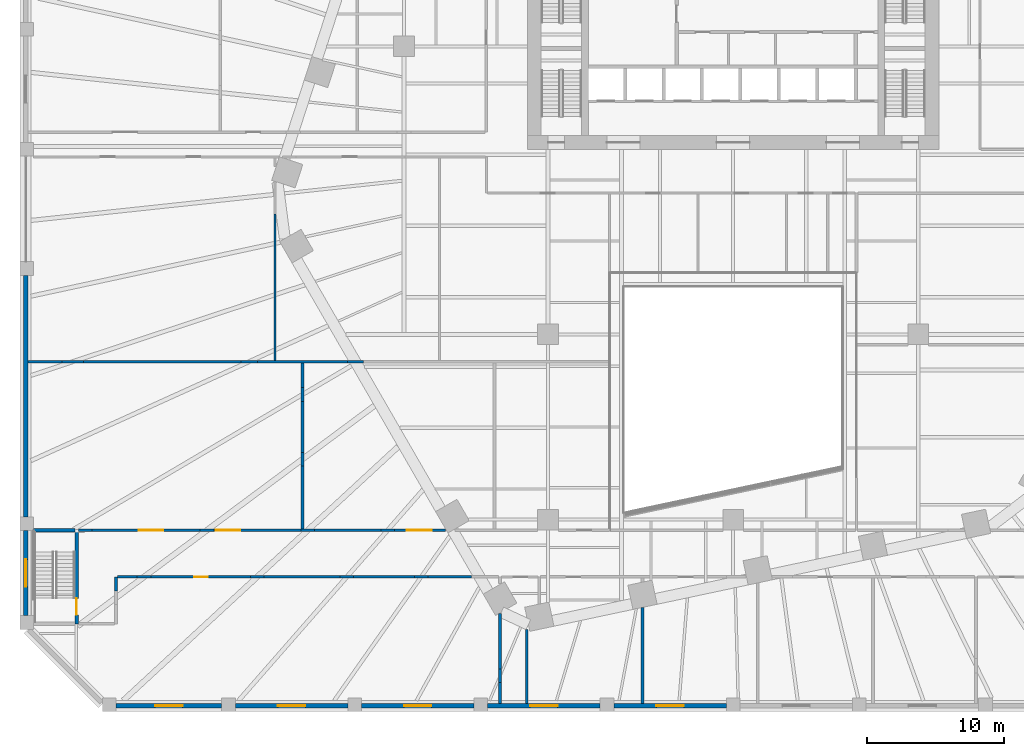
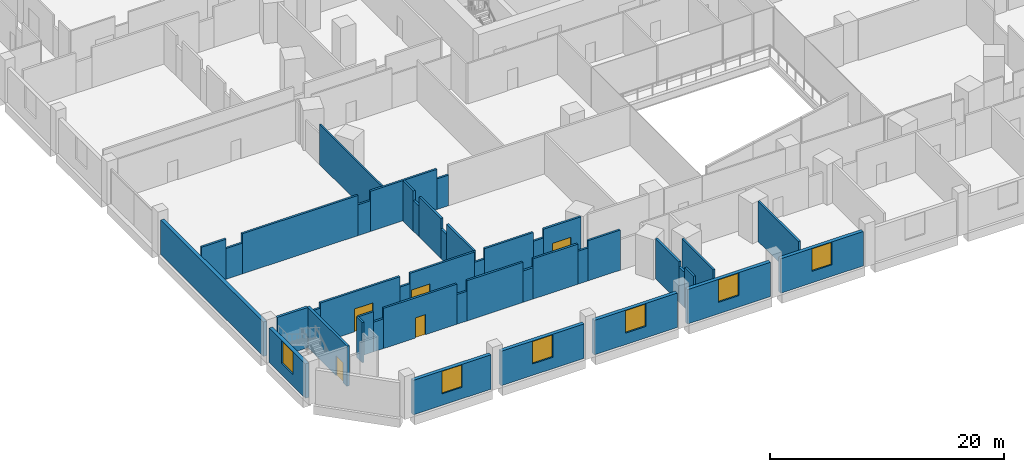
# One storey, part 14 of 29: 44 walls, 6 windows, 5 doors, 11 openings.
"""IFC4 building model written with IfcOpenShell, lengths in metres."""

from ifc_helpers import new_model, si_unit, direction, frame, frame_2d, origin, place, context, subcontext, project, spatial, rectangle, extrude, material, layer, layer_set, type_object, element, fill, save


model = new_model("IFC4")

# Units and contexts
model_context = context("Model", 3, precision=1e-05, world=origin(), true_north=direction((0.0, 1.0)))
body_context = subcontext(model_context, "Body", "Model", "MODEL_VIEW")
ifc_project = project(units=[si_unit("LENGTHUNIT", "METRE"), si_unit("AREAUNIT", "SQUARE_METRE"), si_unit("VOLUMEUNIT", "CUBIC_METRE"), si_unit("PLANEANGLEUNIT", "RADIAN"), si_unit("MASSUNIT", "GRAM", prefix="KILO")], contexts=[model_context])

# Site, building, storey
site_placement = place(None, origin())
site = spatial("IfcSite", under=ifc_project, at=site_placement, CompositionType="ELEMENT")
building_placement = place(site_placement, origin())
building = spatial("IfcBuilding", under=site, at=building_placement, Name="Isthmus Gate Tower", CompositionType="ELEMENT")
storey_placement = place(building_placement, frame((0.0, 0.0, 27.0)))
storey = spatial("IfcBuildingStorey", under=building, at=storey_placement, Name="L04", CompositionType="ELEMENT", Elevation=27.0)

# Walls
ifc_material_1 = material(Name="Concrete f'c 30 MPa", Category="concrete")
ifc_layer_1 = layer(ifc_material_1, 0.199951171875)
ifc_layer_set_1 = layer_set([ifc_layer_1], Name="Fire-rated block wall 200")
wall_type_1 = type_object("IfcWallType", Name="Fire-rated block wall 200", PredefinedType="PARTITIONING", material=ifc_layer_set_1)
wall_1_placement = place(storey_placement, frame((-44.89990234375, -31.178955078125, 0.0), z_axis=(0.0, 0.0, 1.0), x_axis=(1.0, 0.0, 0.0)))
element("IfcWall", 1, at=wall_1_placement, inside=storey, type_object=wall_type_1, Name="Fire-rated wall", PredefinedType="PARTITIONING", context=body_context, shape_type="SweptSolid", body=[
    extrude(rectangle(XDim=1.445068359375, YDim=0.199951171875, at=frame_2d((0.72265625, 0.0))), origin(), (0.0, 0.0, 1.0), 4.199951171875),
])
wall_2_placement = place(storey_placement, frame((-43.454833984375, -31.178955078125, 0.0), z_axis=(0.0, 0.0, 1.0), x_axis=(1.0, 0.0, 0.0)))
element("IfcWall", 2, at=wall_2_placement, inside=storey, type_object=wall_type_1, Name="Fire-rated wall", PredefinedType="PARTITIONING", context=body_context, shape_type="SweptSolid", body=[
    extrude(rectangle(XDim=1.006103515625, YDim=0.199951171875, at=frame_2d((0.5029296875, 0.0))), origin(), (0.0, 0.0, 1.0), 3.111083984375),
])

# Wall, opening, door
wall_3_placement = place(storey_placement, frame((-42.44873046875, -31.178955078125, 0.0), z_axis=(0.0, 0.0, 1.0), x_axis=(1.0, 0.0, 0.0)))
wall_3 = element("IfcWall", 3, at=wall_3_placement, inside=storey, type_object=wall_type_1, Name="Fire-rated wall", PredefinedType="PARTITIONING", context=body_context, shape_type="SweptSolid", body=[
    extrude(rectangle(XDim=7.244873046875, YDim=0.199951171875, at=frame_2d((3.62255859375, 0.0))), origin(), (0.0, 0.0, 1.0), 4.199951171875),
])
opening_1_placement = place(wall_3_placement, frame((3.14990234375, 0.0, 0.0)))
opening_1 = element("IfcOpeningElement", 4, at=opening_1_placement, cuts=wall_3, Name="Opening DP04-43", PredefinedType="OPENING", context=body_context, shape_type="SweptSolid", body=[
    extrude(rectangle(XDim=1.0, YDim=2.10009765625, at=frame_2d((0.5, 1.050048828125))), frame((0.0, 0.10986328125, 0.0), z_axis=(0.0, -1.0, 0.0), x_axis=(1.0, 0.0, 0.0)), (0.0, 0.0, 1.0), 0.219970703125),
])
ifc_material_2 = material(Name="Steel fire door with intumescent seals", Category="steel")
door_type_1 = type_object("IfcDoorType", Name="Fire door 1000 x 2100", OperationType="SINGLE_SWING_LEFT", PredefinedType="DOOR", material=ifc_material_2)
door_1_placement = place(opening_1_placement, origin())
door_1 = element("IfcDoor", 5, at=door_1_placement, inside=storey, type_object=door_type_1, Name="Door DP04-43", OperationType="SINGLE_SWING_LEFT", OverallHeight=2.10009765625, OverallWidth=1.0, PredefinedType="DOOR", context=body_context, shape_type="SweptSolid", body=[
    extrude(rectangle(XDim=1.0, YDim=2.10009765625, at=frame_2d((0.5, 1.050048828125))), frame((0.0, 0.02490234375, 0.0), z_axis=(0.0, -1.0, 0.0), x_axis=(1.0, 0.0, 0.0)), (0.0, 0.0, 1.0), 0.050048828125),
])
fill(opening_1, door_1)

# Walls
wall_4_placement = place(storey_placement, frame((-35.203857421875, -31.178955078125, 0.0), z_axis=(0.0, 0.0, 1.0), x_axis=(1.0, 0.0, 0.0)))
element("IfcWall", 6, at=wall_4_placement, inside=storey, type_object=wall_type_1, Name="Fire-rated wall", PredefinedType="PARTITIONING", context=body_context, shape_type="SweptSolid", body=[
    extrude(rectangle(XDim=1.0, YDim=0.199951171875, at=frame_2d((0.5, 0.0))), origin(), (0.0, 0.0, 1.0), 3.111083984375),
])
wall_5_placement = place(storey_placement, frame((-34.203857421875, -31.178955078125, 0.0), z_axis=(0.0, 0.0, 1.0), x_axis=(1.0, 0.0, 0.0)))
element("IfcWall", 7, at=wall_5_placement, inside=storey, type_object=wall_type_1, Name="Fire-rated wall", PredefinedType="PARTITIONING", context=body_context, shape_type="SweptSolid", body=[
    extrude(rectangle(XDim=5.535888671875, YDim=0.199951171875, at=frame_2d((2.76806640625, 0.0))), origin(), (0.0, 0.0, 1.0), 4.199951171875),
])
wall_6_placement = place(storey_placement, frame((-28.66796875, -31.178955078125, 0.0), z_axis=(0.0, 0.0, 1.0), x_axis=(1.0, 0.0, 0.0)))
element("IfcWall", 8, at=wall_6_placement, inside=storey, type_object=wall_type_1, Name="Fire-rated wall", PredefinedType="PARTITIONING", context=body_context, shape_type="SweptSolid", body=[
    extrude(rectangle(XDim=1.0, YDim=0.199951171875, at=frame_2d((0.5, 0.0))), origin(), (0.0, 0.0, 1.0), 3.28564453125),
])
wall_7_placement = place(storey_placement, frame((-27.66796875, -31.178955078125, 0.0), z_axis=(0.0, 0.0, 1.0), x_axis=(1.0, 0.0, 0.0)))
element("IfcWall", 9, at=wall_7_placement, inside=storey, type_object=wall_type_1, Name="Fire-rated wall", PredefinedType="PARTITIONING", context=body_context, shape_type="SweptSolid", body=[
    extrude(rectangle(XDim=4.41796875, YDim=0.199951171875, at=frame_2d((2.208984375, 0.0))), origin(), (0.0, 0.0, 1.0), 4.199951171875),
])
wall_8_placement = place(storey_placement, frame((-23.25, -31.178955078125, 0.0), z_axis=(0.0, 0.0, 1.0), x_axis=(1.0, 0.0, 0.0)))
element("IfcWall", 10, at=wall_8_placement, inside=storey, type_object=wall_type_1, Name="Fire-rated wall", PredefinedType="PARTITIONING", context=body_context, shape_type="SweptSolid", body=[
    extrude(rectangle(XDim=1.0, YDim=0.199951171875, at=frame_2d((0.5, 0.0))), origin(), (0.0, 0.0, 1.0), 3.441162109375),
])
wall_9_placement = place(storey_placement, frame((-22.25, -31.178955078125, 0.0), z_axis=(0.0, 0.0, 1.0), x_axis=(1.0, 0.0, 0.0)))
element("IfcWall", 11, at=wall_9_placement, inside=storey, type_object=wall_type_1, Name="Fire-rated wall", PredefinedType="PARTITIONING", context=body_context, shape_type="SweptSolid", body=[
    extrude(rectangle(XDim=3.185302734375, YDim=0.199951171875, at=frame_2d((1.5927734375, 0.0))), origin(), (0.0, 0.0, 1.0), 4.199951171875),
])
wall_10_placement = place(storey_placement, frame((-47.75, -27.779052734375, 0.0), z_axis=(0.0, 0.0, 1.0), x_axis=(1.0, 0.0, 0.0)))
element("IfcWall", 12, at=wall_10_placement, inside=storey, type_object=wall_type_1, Name="Fire-rated wall", PredefinedType="PARTITIONING", context=body_context, shape_type="SweptSolid", body=[
    extrude(rectangle(XDim=1.0, YDim=0.199951171875, at=frame_2d((0.5, 0.0))), origin(), (0.0, 0.0, 1.0), 3.66650390625),
])

# Wall, opening, door
wall_11_placement = place(storey_placement, frame((-46.75, -27.779052734375, 0.0), z_axis=(0.0, 0.0, 1.0), x_axis=(1.0, 0.0, 0.0)))
wall_11 = element("IfcWall", 13, at=wall_11_placement, inside=storey, type_object=wall_type_1, Name="Fire-rated wall", PredefinedType="PARTITIONING", context=body_context, shape_type="SweptSolid", body=[
    extrude(rectangle(XDim=7.87158203125, YDim=0.199951171875, at=frame_2d((3.935791015625, 0.0))), origin(), (0.0, 0.0, 1.0), 4.199951171875),
])
opening_2_placement = place(wall_11_placement, frame((3.39990234375, 0.0, 0.0)))
opening_2 = element("IfcOpeningElement", 14, at=opening_2_placement, cuts=wall_11, Name="Opening DP04-18", PredefinedType="OPENING", context=body_context, shape_type="SweptSolid", body=[
    extrude(rectangle(XDim=1.800048828125, YDim=2.39990234375, at=frame_2d((0.89990234375, 1.199951171875))), frame((0.0, 0.10986328125, 0.0), z_axis=(0.0, -1.0, 0.0), x_axis=(1.0, 0.0, 0.0)), (0.0, 0.0, 1.0), 0.219970703125),
])
ifc_material_3 = material(Name="Steel fire doors with intumescent seals", Category="steel")
door_type_2 = type_object("IfcDoorType", Name="Double fire door 1800 x 2400", OperationType="DOUBLE_DOOR_SINGLE_SWING", PredefinedType="DOOR", material=ifc_material_3)
door_2_placement = place(opening_2_placement, origin())
door_2 = element("IfcDoor", 15, at=door_2_placement, inside=storey, type_object=door_type_2, Name="Door DP04-18", OperationType="SINGLE_SWING_LEFT", OverallHeight=2.39990234375, OverallWidth=1.800048828125, PredefinedType="DOOR", context=body_context, shape_type="SweptSolid", body=[
    extrude(rectangle(XDim=1.800048828125, YDim=2.39990234375, at=frame_2d((0.89990234375, 1.199951171875))), frame((0.0, 0.02490234375, 0.0), z_axis=(0.0, -1.0, 0.0), x_axis=(1.0, 0.0, 0.0)), (0.0, 0.0, 1.0), 0.050048828125),
])
fill(opening_2, door_2)

# Wall
wall_12_placement = place(storey_placement, frame((-38.87841796875, -27.779052734375, 0.0), z_axis=(0.0, 0.0, 1.0), x_axis=(1.0, 0.0, 0.0)))
element("IfcWall", 16, at=wall_12_placement, inside=storey, type_object=wall_type_1, Name="Fire-rated wall", PredefinedType="PARTITIONING", context=body_context, shape_type="SweptSolid", body=[
    extrude(rectangle(XDim=1.006103515625, YDim=0.199951171875, at=frame_2d((0.5029296875, 0.0))), origin(), (0.0, 0.0, 1.0), 3.111083984375),
])

# Wall, opening, door
wall_13_placement = place(storey_placement, frame((-37.872314453125, -27.779052734375, 0.0), z_axis=(0.0, 0.0, 1.0), x_axis=(1.0, 0.0, 0.0)))
wall_13 = element("IfcWall", 17, at=wall_13_placement, inside=storey, type_object=wall_type_1, Name="Fire-rated wall", PredefinedType="PARTITIONING", context=body_context, shape_type="SweptSolid", body=[
    extrude(rectangle(XDim=6.351318359375, YDim=0.199951171875, at=frame_2d((3.17578125, 0.0))), origin(), (0.0, 0.0, 1.0), 4.199951171875),
])
opening_3_placement = place(wall_13_placement, frame((0.14990234375, 0.0, 0.0)))
opening_3 = element("IfcOpeningElement", 18, at=opening_3_placement, cuts=wall_13, Name="Opening DP04-19", PredefinedType="OPENING", context=body_context, shape_type="SweptSolid", body=[
    extrude(rectangle(XDim=1.800048828125, YDim=2.39990234375, at=frame_2d((0.89990234375, 1.199951171875))), frame((0.0, 0.10986328125, 0.0), z_axis=(0.0, -1.0, 0.0), x_axis=(1.0, 0.0, 0.0)), (0.0, 0.0, 1.0), 0.219970703125),
])
door_3_placement = place(opening_3_placement, origin())
door_3 = element("IfcDoor", 19, at=door_3_placement, inside=storey, type_object=door_type_2, Name="Door DP04-19", OperationType="SINGLE_SWING_LEFT", OverallHeight=2.39990234375, OverallWidth=1.800048828125, PredefinedType="DOOR", context=body_context, shape_type="SweptSolid", body=[
    extrude(rectangle(XDim=1.800048828125, YDim=2.39990234375, at=frame_2d((0.89990234375, 1.199951171875))), frame((0.0, 0.02490234375, 0.0), z_axis=(0.0, -1.0, 0.0), x_axis=(1.0, 0.0, 0.0)), (0.0, 0.0, 1.0), 0.050048828125),
])
fill(opening_3, door_3)

# Walls
wall_14_placement = place(storey_placement, frame((-31.52099609375, -27.779052734375, 0.0), z_axis=(0.0, 0.0, 1.0), x_axis=(1.0, 0.0, 0.0)))
element("IfcWall", 20, at=wall_14_placement, inside=storey, type_object=wall_type_1, Name="Fire-rated wall", PredefinedType="PARTITIONING", context=body_context, shape_type="SweptSolid", body=[
    extrude(rectangle(XDim=1.0, YDim=0.199951171875, at=frame_2d((0.5, 0.0))), origin(), (0.0, 0.0, 1.0), 3.111083984375),
])
wall_15_placement = place(storey_placement, frame((-30.52099609375, -27.779052734375, 0.0), z_axis=(0.0, 0.0, 1.0), x_axis=(1.0, 0.0, 0.0)))
element("IfcWall", 21, at=wall_15_placement, inside=storey, type_object=wall_type_1, Name="Fire-rated wall", PredefinedType="PARTITIONING", context=body_context, shape_type="SweptSolid", body=[
    extrude(rectangle(XDim=4.828125, YDim=0.199951171875, at=frame_2d((2.4140625, 0.0))), origin(), (0.0, 0.0, 1.0), 4.199951171875),
])
wall_16_placement = place(storey_placement, frame((-25.69287109375, -27.779052734375, 0.0), z_axis=(0.0, 0.0, 1.0), x_axis=(1.0, 0.0, 0.0)))
element("IfcWall", 22, at=wall_16_placement, inside=storey, type_object=wall_type_1, Name="Fire-rated wall", PredefinedType="PARTITIONING", context=body_context, shape_type="SweptSolid", body=[
    extrude(rectangle(XDim=1.0, YDim=0.199951171875, at=frame_2d((0.5, 0.0))), origin(), (0.0, 0.0, 1.0), 3.28564453125),
])

# Wall, opening, door
wall_17_placement = place(storey_placement, frame((-24.69287109375, -27.779052734375, 0.0), z_axis=(0.0, 0.0, 1.0), x_axis=(1.0, 0.0, 0.0)))
wall_17 = element("IfcWall", 23, at=wall_17_placement, inside=storey, type_object=wall_type_1, Name="Fire-rated wall", PredefinedType="PARTITIONING", context=body_context, shape_type="SweptSolid", body=[
    extrude(rectangle(XDim=3.722900390625, YDim=0.199951171875, at=frame_2d((1.861328125, 0.0))), origin(), (0.0, 0.0, 1.0), 4.199951171875),
])
opening_4_placement = place(wall_17_placement, frame((0.89990234375, 0.0, 0.0)))
opening_4 = element("IfcOpeningElement", 24, at=opening_4_placement, cuts=wall_17, Name="Opening DP04-20", PredefinedType="OPENING", context=body_context, shape_type="SweptSolid", body=[
    extrude(rectangle(XDim=1.800048828125, YDim=2.39990234375, at=frame_2d((0.89990234375, 1.199951171875))), frame((0.0, 0.10986328125, 0.0), z_axis=(0.0, -1.0, 0.0), x_axis=(1.0, 0.0, 0.0)), (0.0, 0.0, 1.0), 0.219970703125),
])
door_4_placement = place(opening_4_placement, origin())
door_4 = element("IfcDoor", 25, at=door_4_placement, inside=storey, type_object=door_type_2, Name="Door DP04-20", OperationType="SINGLE_SWING_LEFT", OverallHeight=2.39990234375, OverallWidth=1.800048828125, PredefinedType="DOOR", context=body_context, shape_type="SweptSolid", body=[
    extrude(rectangle(XDim=1.800048828125, YDim=2.39990234375, at=frame_2d((0.89990234375, 1.199951171875))), frame((0.0, 0.02490234375, 0.0), z_axis=(0.0, -1.0, 0.0), x_axis=(1.0, 0.0, 0.0)), (0.0, 0.0, 1.0), 0.050048828125),
])
fill(opening_4, door_4)

# Walls
wall_18_placement = place(storey_placement, frame((-51.39990234375, -15.489013671875, 0.0), z_axis=(0.0, 0.0, 1.0), x_axis=(1.0, 0.0, 0.0)))
element("IfcWall", 26, at=wall_18_placement, inside=storey, type_object=wall_type_1, Name="Fire-rated wall", PredefinedType="PARTITIONING", context=body_context, shape_type="SweptSolid", body=[
    extrude(rectangle(XDim=2.448486328125, YDim=0.199951171875, at=frame_2d((1.22412109375, 0.0))), origin(), (0.0, 0.0, 1.0), 4.199951171875),
])
wall_19_placement = place(storey_placement, frame((-48.951416015625, -15.489013671875, 0.0), z_axis=(0.0, 0.0, 1.0), x_axis=(1.0, 0.0, 0.0)))
element("IfcWall", 27, at=wall_19_placement, inside=storey, type_object=wall_type_1, Name="Fire-rated wall", PredefinedType="PARTITIONING", context=body_context, shape_type="SweptSolid", body=[
    extrude(rectangle(XDim=1.5869140625, YDim=0.199951171875, at=frame_2d((0.79345703125, 0.0))), origin(), (0.0, 0.0, 1.0), 3.218994140625),
])
wall_20_placement = place(storey_placement, frame((-47.364501953125, -15.489013671875, 0.0), z_axis=(0.0, 0.0, 1.0), x_axis=(1.0, 0.0, 0.0)))
element("IfcWall", 28, at=wall_20_placement, inside=storey, type_object=wall_type_1, Name="Fire-rated wall", PredefinedType="PARTITIONING", context=body_context, shape_type="SweptSolid", body=[
    extrude(rectangle(XDim=11.461669921875, YDim=0.199951171875, at=frame_2d((5.73095703125, 0.0))), origin(), (0.0, 0.0, 1.0), 4.199951171875),
])
wall_21_placement = place(storey_placement, frame((-35.90283203125, -15.489013671875, 0.0), z_axis=(0.0, 0.0, 1.0), x_axis=(1.0, 0.0, 0.0)))
element("IfcWall", 29, at=wall_21_placement, inside=storey, type_object=wall_type_1, Name="Fire-rated wall", PredefinedType="PARTITIONING", context=body_context, shape_type="SweptSolid", body=[
    extrude(rectangle(XDim=1.2060546875, YDim=0.199951171875, at=frame_2d((0.60302734375, 0.0))), origin(), (0.0, 0.0, 1.0), 3.218994140625),
])
wall_22_placement = place(storey_placement, frame((-34.69677734375, -15.489013671875, 0.0), z_axis=(0.0, 0.0, 1.0), x_axis=(1.0, 0.0, 0.0)))
element("IfcWall", 30, at=wall_22_placement, inside=storey, type_object=wall_type_1, Name="Fire-rated wall", PredefinedType="PARTITIONING", context=body_context, shape_type="SweptSolid", body=[
    extrude(rectangle(XDim=6.573486328125, YDim=0.199951171875, at=frame_2d((3.28662109375, 0.0))), origin(), (0.0, 0.0, 1.0), 4.199951171875),
])
wall_23_placement = place(storey_placement, frame((-28.123291015625, -15.489013671875, 0.0), z_axis=(0.0, 0.0, 1.0), x_axis=(1.0, 0.0, 0.0)))
element("IfcWall", 31, at=wall_23_placement, inside=storey, type_object=wall_type_1, Name="Fire-rated wall", PredefinedType="PARTITIONING", context=body_context, shape_type="SweptSolid", body=[
    extrude(rectangle(XDim=1.15478515625, YDim=0.199951171875, at=frame_2d((0.577392578125, 0.0))), origin(), (0.0, 0.0, 1.0), 3.199951171875),
])
wall_24_placement = place(storey_placement, frame((-45.0, -32.20068359375, 0.0), z_axis=(0.0, 0.0, 1.0), x_axis=(0.0, 1.0, 0.0)))
element("IfcWall", 32, at=wall_24_placement, inside=storey, type_object=wall_type_1, Name="Fire-rated wall", PredefinedType="PARTITIONING", context=body_context, shape_type="SweptSolid", body=[
    extrude(rectangle(XDim=1.021728515625, YDim=0.199951171875, at=frame_2d((0.5107421875, 0.0))), origin(), (0.0, 0.0, 1.0), 4.199951171875),
])
wall_25_placement = place(storey_placement, frame((-31.39990234375, -27.678955078125, 0.0), z_axis=(0.0, 0.0, 1.0), x_axis=(0.0, 1.0, 0.0)))
element("IfcWall", 33, at=wall_25_placement, inside=storey, type_object=wall_type_1, Name="Fire-rated wall", PredefinedType="PARTITIONING", context=body_context, shape_type="SweptSolid", body=[
    extrude(rectangle(XDim=4.582275390625, YDim=0.199951171875, at=frame_2d((2.291015625, 0.0))), origin(), (0.0, 0.0, 1.0), 4.199951171875),
])
wall_26_placement = place(storey_placement, frame((-31.39990234375, -23.0966796875, 0.0), z_axis=(0.0, 0.0, 1.0), x_axis=(0.0, 1.0, 0.0)))
element("IfcWall", 34, at=wall_26_placement, inside=storey, type_object=wall_type_1, Name="Fire-rated wall", PredefinedType="PARTITIONING", context=body_context, shape_type="SweptSolid", body=[
    extrude(rectangle(XDim=1.0, YDim=0.199951171875, at=frame_2d((0.5, 0.0))), origin(), (0.0, 0.0, 1.0), 3.111083984375),
])
wall_27_placement = place(storey_placement, frame((-31.39990234375, -22.0966796875, 0.0), z_axis=(0.0, 0.0, 1.0), x_axis=(0.0, 1.0, 0.0)))
element("IfcWall", 35, at=wall_27_placement, inside=storey, type_object=wall_type_1, Name="Fire-rated wall", PredefinedType="PARTITIONING", context=body_context, shape_type="SweptSolid", body=[
    extrude(rectangle(XDim=3.71826171875, YDim=0.199951171875, at=frame_2d((1.859130859375, 0.0))), origin(), (0.0, 0.0, 1.0), 4.199951171875),
])
wall_28_placement = place(storey_placement, frame((-31.39990234375, -18.37841796875, 0.0), z_axis=(0.0, 0.0, 1.0), x_axis=(0.0, 1.0, 0.0)))
element("IfcWall", 36, at=wall_28_placement, inside=storey, type_object=wall_type_1, Name="Fire-rated wall", PredefinedType="PARTITIONING", context=body_context, shape_type="SweptSolid", body=[
    extrude(rectangle(XDim=1.0, YDim=0.199951171875, at=frame_2d((0.5, 0.0))), origin(), (0.0, 0.0, 1.0), 3.218994140625),
])
wall_29_placement = place(storey_placement, frame((-31.39990234375, -17.37841796875, 0.0), z_axis=(0.0, 0.0, 1.0), x_axis=(0.0, 1.0, 0.0)))
element("IfcWall", 37, at=wall_29_placement, inside=storey, type_object=wall_type_1, Name="Fire-rated wall", PredefinedType="PARTITIONING", context=body_context, shape_type="SweptSolid", body=[
    extrude(rectangle(XDim=1.789306640625, YDim=0.199951171875, at=frame_2d((0.89453125, 0.0))), origin(), (0.0, 0.0, 1.0), 4.199951171875),
])
wall_30_placement = place(storey_placement, frame((-16.9951171875, -40.39990234375, 0.0), z_axis=(0.0, 0.0, 1.0), x_axis=(0.0, 1.0, 0.0)))
element("IfcWall", 38, at=wall_30_placement, inside=storey, type_object=wall_type_1, Name="Fire-rated wall", PredefinedType="PARTITIONING", context=body_context, shape_type="SweptSolid", body=[
    extrude(rectangle(XDim=1.50390625, YDim=0.199951171875, at=frame_2d((0.751953125, 0.0))), origin(), (0.0, 0.0, 1.0), 4.199951171875),
])
wall_31_placement = place(storey_placement, frame((-16.9951171875, -38.89599609375, 0.0), z_axis=(0.0, 0.0, 1.0), x_axis=(0.0, 1.0, 0.0)))
element("IfcWall", 39, at=wall_31_placement, inside=storey, type_object=wall_type_1, Name="Fire-rated wall", PredefinedType="PARTITIONING", context=body_context, shape_type="SweptSolid", body=[
    extrude(rectangle(XDim=1.0, YDim=0.199951171875, at=frame_2d((0.5, 0.0))), origin(), (0.0, 0.0, 1.0), 3.676025390625),
])
wall_32_placement = place(storey_placement, frame((-16.9951171875, -37.89599609375, 0.0), z_axis=(0.0, 0.0, 1.0), x_axis=(0.0, 1.0, 0.0)))
element("IfcWall", 40, at=wall_32_placement, inside=storey, type_object=wall_type_1, Name="Fire-rated wall", PredefinedType="PARTITIONING", context=body_context, shape_type="SweptSolid", body=[
    extrude(rectangle(XDim=4.035888671875, YDim=0.199951171875, at=frame_2d((2.01806640625, 0.0))), origin(), (0.0, 0.0, 1.0), 4.199951171875),
])
wall_33_placement = place(storey_placement, frame((-15.050048828125, -40.39990234375, 0.0), z_axis=(0.0, 0.0, 1.0), x_axis=(0.0, 1.0, 0.0)))
element("IfcWall", 41, at=wall_33_placement, inside=storey, type_object=wall_type_1, Name="Fire-rated wall", PredefinedType="PARTITIONING", context=body_context, shape_type="SweptSolid", body=[
    extrude(rectangle(XDim=5.374755859375, YDim=0.199951171875, at=frame_2d((2.6875, 0.0))), origin(), (0.0, 0.0, 1.0), 4.199951171875),
])
wall_34_placement = place(storey_placement, frame((-6.611083984375, -40.39990234375, 0.0), z_axis=(0.0, 0.0, 1.0), x_axis=(0.0, 1.0, 0.0)))
element("IfcWall", 42, at=wall_34_placement, inside=storey, type_object=wall_type_1, Name="Fire-rated wall", PredefinedType="PARTITIONING", context=body_context, shape_type="SweptSolid", body=[
    extrude(rectangle(XDim=6.973388671875, YDim=0.199951171875, at=frame_2d((3.48681640625, 0.0))), origin(), (0.0, 0.0, 1.0), 4.199951171875),
])

# Wall, opening, window
ifc_material_4 = material(Name="Precast concrete C40/50, limestone-faced", Category="masonry")
ifc_layer_2 = layer(ifc_material_4, 0.35009765625)
ifc_layer_set_2 = layer_set([ifc_layer_2], Name="PODIUM CLADDING WALL 350")
wall_type_2 = type_object("IfcWallType", Name="PODIUM CLADDING WALL 350", PredefinedType="SOLIDWALL", material=ifc_layer_set_2)
wall_35_placement = place(storey_placement, frame((-45.0, -40.574951171875, -0.300048828125), z_axis=(0.0, 0.0, 1.0), x_axis=(1.0, 0.0, 0.0)))
wall_35 = element("IfcWall", 43, at=wall_35_placement, inside=storey, type_object=wall_type_2, Name="PODIUM WALL", PredefinedType="SOLIDWALL", context=body_context, shape_type="SweptSolid", body=[
    extrude(rectangle(XDim=7.699951171875, YDim=0.35009765625, at=frame_2d((3.85009765625, 0.0))), origin(), (0.0, 0.0, 1.0), 3.60009765625),
])
opening_5_placement = place(wall_35_placement, frame((2.85009765625, 0.0, 1.199951171875)))
opening_5 = element("IfcOpeningElement", 44, at=opening_5_placement, cuts=wall_35, Name="Opening W062", PredefinedType="OPENING", context=body_context, shape_type="SweptSolid", body=[
    extrude(rectangle(XDim=2.0, YDim=2.35009765625, at=frame_2d((1.0, 1.175048828125))), frame((0.0, 0.18505859375, 0.0), z_axis=(0.0, -1.0, 0.0), x_axis=(1.0, 0.0, 0.0)), (0.0, 0.0, 1.0), 0.3701171875),
])
ifc_material_5 = material(Name="Aluminium, pale champagne anodised, laminated glass", Category="aluminium")
window_type = type_object("IfcWindowType", Name="PODIUM SLOT WINDOW 2000 X 2350", PartitioningType="SINGLE_PANEL", PredefinedType="WINDOW", material=ifc_material_5)
window_1_placement = place(opening_5_placement, origin())
window_1 = element("IfcWindow", 45, at=window_1_placement, inside=storey, type_object=window_type, Name="SLOT WINDOW", OverallHeight=2.35009765625, OverallWidth=2.0, PartitioningType="SINGLE_PANEL", PredefinedType="WINDOW", context=body_context, shape_type="SweptSolid", body=[
    extrude(rectangle(XDim=2.0, YDim=2.35009765625, at=frame_2d((1.0, 1.175048828125))), frame((0.0, 0.030029296875, 0.0), z_axis=(0.0, -1.0, 0.0), x_axis=(1.0, 0.0, 0.0)), (0.0, 0.0, 1.0), 0.06005859375),
])
fill(opening_5, window_1)

wall_36_placement = place(storey_placement, frame((-36.300048828125, -40.574951171875, -0.300048828125), z_axis=(0.0, 0.0, 1.0), x_axis=(1.0, 0.0, 0.0)))
wall_36 = element("IfcWall", 46, at=wall_36_placement, inside=storey, type_object=wall_type_2, Name="PODIUM WALL", PredefinedType="SOLIDWALL", context=body_context, shape_type="SweptSolid", body=[
    extrude(rectangle(XDim=8.199951171875, YDim=0.35009765625, at=frame_2d((4.10009765625, 0.0))), origin(), (0.0, 0.0, 1.0), 3.60009765625),
])
opening_6_placement = place(wall_36_placement, frame((3.10009765625, 0.0, 1.199951171875)))
opening_6 = element("IfcOpeningElement", 47, at=opening_6_placement, cuts=wall_36, Name="Opening W063", PredefinedType="OPENING", context=body_context, shape_type="SweptSolid", body=[
    extrude(rectangle(XDim=2.0, YDim=2.35009765625, at=frame_2d((1.0, 1.175048828125))), frame((0.0, 0.18505859375, 0.0), z_axis=(0.0, -1.0, 0.0), x_axis=(1.0, 0.0, 0.0)), (0.0, 0.0, 1.0), 0.3701171875),
])
window_2_placement = place(opening_6_placement, origin())
window_2 = element("IfcWindow", 48, at=window_2_placement, inside=storey, type_object=window_type, Name="SLOT WINDOW", OverallHeight=2.35009765625, OverallWidth=2.0, PartitioningType="SINGLE_PANEL", PredefinedType="WINDOW", context=body_context, shape_type="SweptSolid", body=[
    extrude(rectangle(XDim=2.0, YDim=2.35009765625, at=frame_2d((1.0, 1.175048828125))), frame((0.0, 0.030029296875, 0.0), z_axis=(0.0, -1.0, 0.0), x_axis=(1.0, 0.0, 0.0)), (0.0, 0.0, 1.0), 0.06005859375),
])
fill(opening_6, window_2)

wall_37_placement = place(storey_placement, frame((-27.10009765625, -40.574951171875, -0.300048828125), z_axis=(0.0, 0.0, 1.0), x_axis=(1.0, 0.0, 0.0)))
wall_37 = element("IfcWall", 49, at=wall_37_placement, inside=storey, type_object=wall_type_2, Name="PODIUM WALL", PredefinedType="SOLIDWALL", context=body_context, shape_type="SweptSolid", body=[
    extrude(rectangle(XDim=8.2001953125, YDim=0.35009765625, at=frame_2d((4.10009765625, 0.0))), origin(), (0.0, 0.0, 1.0), 3.60009765625),
])
opening_7_placement = place(wall_37_placement, frame((3.10009765625, 0.0, 1.199951171875)))
opening_7 = element("IfcOpeningElement", 50, at=opening_7_placement, cuts=wall_37, Name="Opening W064", PredefinedType="OPENING", context=body_context, shape_type="SweptSolid", body=[
    extrude(rectangle(XDim=2.0, YDim=2.35009765625, at=frame_2d((1.0, 1.175048828125))), frame((0.0, 0.18505859375, 0.0), z_axis=(0.0, -1.0, 0.0), x_axis=(1.0, 0.0, 0.0)), (0.0, 0.0, 1.0), 0.3701171875),
])
window_3_placement = place(opening_7_placement, origin())
window_3 = element("IfcWindow", 51, at=window_3_placement, inside=storey, type_object=window_type, Name="SLOT WINDOW", OverallHeight=2.35009765625, OverallWidth=2.0, PartitioningType="SINGLE_PANEL", PredefinedType="WINDOW", context=body_context, shape_type="SweptSolid", body=[
    extrude(rectangle(XDim=2.0, YDim=2.35009765625, at=frame_2d((1.0, 1.175048828125))), frame((0.0, 0.030029296875, 0.0), z_axis=(0.0, -1.0, 0.0), x_axis=(1.0, 0.0, 0.0)), (0.0, 0.0, 1.0), 0.06005859375),
])
fill(opening_7, window_3)

wall_38_placement = place(storey_placement, frame((-17.89990234375, -40.574951171875, -0.300048828125), z_axis=(0.0, 0.0, 1.0), x_axis=(1.0, 0.0, 0.0)))
wall_38 = element("IfcWall", 52, at=wall_38_placement, inside=storey, type_object=wall_type_2, Name="PODIUM WALL", PredefinedType="SOLIDWALL", context=body_context, shape_type="SweptSolid", body=[
    extrude(rectangle(XDim=8.199951171875, YDim=0.35009765625, at=frame_2d((4.10009765625, 0.0))), origin(), (0.0, 0.0, 1.0), 3.60009765625),
])
opening_8_placement = place(wall_38_placement, frame((3.10009765625, 0.0, 1.199951171875)))
opening_8 = element("IfcOpeningElement", 53, at=opening_8_placement, cuts=wall_38, Name="Opening W065", PredefinedType="OPENING", context=body_context, shape_type="SweptSolid", body=[
    extrude(rectangle(XDim=2.0, YDim=2.35009765625, at=frame_2d((1.0, 1.175048828125))), frame((0.0, 0.18505859375, 0.0), z_axis=(0.0, -1.0, 0.0), x_axis=(1.0, 0.0, 0.0)), (0.0, 0.0, 1.0), 0.3701171875),
])
window_4_placement = place(opening_8_placement, origin())
window_4 = element("IfcWindow", 54, at=window_4_placement, inside=storey, type_object=window_type, Name="SLOT WINDOW", OverallHeight=2.35009765625, OverallWidth=2.0, PartitioningType="SINGLE_PANEL", PredefinedType="WINDOW", context=body_context, shape_type="SweptSolid", body=[
    extrude(rectangle(XDim=2.0, YDim=2.35009765625, at=frame_2d((1.0, 1.175048828125))), frame((0.0, 0.030029296875, 0.0), z_axis=(0.0, -1.0, 0.0), x_axis=(1.0, 0.0, 0.0)), (0.0, 0.0, 1.0), 0.06005859375),
])
fill(opening_8, window_4)

wall_39_placement = place(storey_placement, frame((-8.699951171875, -40.574951171875, -0.300048828125), z_axis=(0.0, 0.0, 1.0), x_axis=(1.0, 0.0, 0.0)))
wall_39 = element("IfcWall", 55, at=wall_39_placement, inside=storey, type_object=wall_type_2, Name="PODIUM WALL", PredefinedType="SOLIDWALL", context=body_context, shape_type="SweptSolid", body=[
    extrude(rectangle(XDim=8.199951171875, YDim=0.35009765625, at=frame_2d((4.10009765625, 0.0))), origin(), (0.0, 0.0, 1.0), 3.60009765625),
])
opening_9_placement = place(wall_39_placement, frame((3.10009765625, 0.0, 1.199951171875)))
opening_9 = element("IfcOpeningElement", 56, at=opening_9_placement, cuts=wall_39, Name="Opening W066", PredefinedType="OPENING", context=body_context, shape_type="SweptSolid", body=[
    extrude(rectangle(XDim=2.0, YDim=2.35009765625, at=frame_2d((1.0, 1.175048828125))), frame((0.0, 0.18505859375, 0.0), z_axis=(0.0, -1.0, 0.0), x_axis=(1.0, 0.0, 0.0)), (0.0, 0.0, 1.0), 0.3701171875),
])
window_5_placement = place(opening_9_placement, origin())
window_5 = element("IfcWindow", 57, at=window_5_placement, inside=storey, type_object=window_type, Name="SLOT WINDOW", OverallHeight=2.35009765625, OverallWidth=2.0, PartitioningType="SINGLE_PANEL", PredefinedType="WINDOW", context=body_context, shape_type="SweptSolid", body=[
    extrude(rectangle(XDim=2.0, YDim=2.35009765625, at=frame_2d((1.0, 1.175048828125))), frame((0.0, 0.030029296875, 0.0), z_axis=(0.0, -1.0, 0.0), x_axis=(1.0, 0.0, 0.0)), (0.0, 0.0, 1.0), 0.06005859375),
])
fill(opening_9, window_5)

# Wall
wall_40_placement = place(storey_placement, frame((-51.574951171875, -9.199951171875, -0.300048828125), z_axis=(0.0, 0.0, 1.0), x_axis=(0.0, -1.0, 0.0)))
element("IfcWall", 58, at=wall_40_placement, inside=storey, type_object=wall_type_2, Name="PODIUM WALL", PredefinedType="SOLIDWALL", context=body_context, shape_type="SweptSolid", body=[
    extrude(rectangle(XDim=17.60009765625, YDim=0.35009765625, at=frame_2d((8.800048828125, 0.0))), origin(), (0.0, 0.0, 1.0), 3.60009765625),
])

# Wall, opening, window
wall_41_placement = place(storey_placement, frame((-51.574951171875, -27.800048828125, -0.300048828125), z_axis=(0.0, 0.0, 1.0), x_axis=(0.0, -1.0, 0.0)))
wall_41 = element("IfcWall", 59, at=wall_41_placement, inside=storey, type_object=wall_type_2, Name="PODIUM WALL", PredefinedType="SOLIDWALL", context=body_context, shape_type="SweptSolid", body=[
    extrude(rectangle(XDim=6.199951171875, YDim=0.35009765625, at=frame_2d((3.10009765625, 0.0))), origin(), (0.0, 0.0, 1.0), 3.60009765625),
])
opening_10_placement = place(wall_41_placement, frame((2.10009765625, 0.0, 1.199951171875)))
opening_10 = element("IfcOpeningElement", 60, at=opening_10_placement, cuts=wall_41, Name="Opening W090", PredefinedType="OPENING", context=body_context, shape_type="SweptSolid", body=[
    extrude(rectangle(XDim=2.0, YDim=2.35009765625, at=frame_2d((1.0, 1.175048828125))), frame((0.0, 0.18505859375, 0.0), z_axis=(0.0, -1.0, 0.0), x_axis=(1.0, 0.0, 0.0)), (0.0, 0.0, 1.0), 0.3701171875),
])
window_6_placement = place(opening_10_placement, origin())
window_6 = element("IfcWindow", 61, at=window_6_placement, inside=storey, type_object=window_type, Name="SLOT WINDOW", OverallHeight=2.35009765625, OverallWidth=2.0, PartitioningType="SINGLE_PANEL", PredefinedType="WINDOW", context=body_context, shape_type="SweptSolid", body=[
    extrude(rectangle(XDim=2.0, YDim=2.35009765625, at=frame_2d((1.0, 1.175048828125))), frame((0.0, 0.030029296875, 0.0), z_axis=(0.0, -1.0, 0.0), x_axis=(1.0, 0.0, 0.0)), (0.0, 0.0, 1.0), 0.06005859375),
])
fill(opening_10, window_6)

# Walls
ifc_material_6 = material(Name="Gypsum board on cold-formed steel studs", Category="steel")
ifc_layer_3 = layer(ifc_material_6, 0.14990234375)
ifc_layer_set_3 = layer_set([ifc_layer_3])
wall_type_3 = type_object("IfcWallType", Name="Partition 150 gypsum board on steel studs", PredefinedType="PARTITIONING", material=ifc_layer_set_3)
wall_42_placement = place(storey_placement, frame((-33.39990234375, -15.388916015625, 0.0), z_axis=(0.0, 0.0, 1.0), x_axis=(0.0, 1.0, 0.0)))
element("IfcWall", 62, at=wall_42_placement, inside=storey, type_object=wall_type_3, Name="Partition", PredefinedType="PARTITIONING", context=body_context, shape_type="SweptSolid", body=[
    extrude(rectangle(XDim=10.657958984375, YDim=0.14990234375, at=frame_2d((5.3291015625, 0.0))), origin(), (0.0, 0.0, 1.0), 4.199951171875),
])
ifc_material_7 = material(Name="Concrete f'c 40 MPa", Category="concrete")
ifc_layer_4 = layer(ifc_material_7, 0.25)
ifc_layer_set_4 = layer_set([ifc_layer_4])
wall_type_4 = type_object("IfcWallType", Name="Stair shaft wall 250 reinforced concrete", PredefinedType="SHEAR", material=ifc_layer_set_4)
wall_43_placement = place(storey_placement, frame((-51.0, -27.779052734375, 0.0), z_axis=(0.0, 0.0, 1.0), x_axis=(1.0, 0.0, 0.0)))
element("IfcWall", 63, at=wall_43_placement, inside=storey, type_object=wall_type_4, Name="Stair shaft wall", PredefinedType="SHEAR", context=body_context, shape_type="SweptSolid", body=[
    extrude(rectangle(XDim=3.0, YDim=0.25, at=frame_2d((1.5, 0.0))), origin(), (0.0, 0.0, 1.0), 4.199951171875),
])

# Wall, opening, door
wall_44_placement = place(storey_placement, frame((-47.875, -34.60009765625, 0.0), z_axis=(0.0, 0.0, 1.0), x_axis=(0.0, 1.0, 0.0)))
wall_44 = element("IfcWall", 64, at=wall_44_placement, inside=storey, type_object=wall_type_4, Name="Stair shaft wall", PredefinedType="SHEAR", context=body_context, shape_type="SweptSolid", body=[
    extrude(rectangle(XDim=6.821044921875, YDim=0.25, at=frame_2d((3.41064453125, 0.0))), origin(), (0.0, 0.0, 1.0), 4.199951171875),
])
opening_11_placement = place(wall_44_placement, frame((0.64990234375, 0.0, 0.0)))
opening_11 = element("IfcOpeningElement", 65, at=opening_11_placement, cuts=wall_44, Name="Opening DP04-07", PredefinedType="OPENING", context=body_context, shape_type="SweptSolid", body=[
    extrude(rectangle(XDim=1.199951171875, YDim=2.10009765625, at=frame_2d((0.60009765625, 1.050048828125))), frame((0.0, 0.135009765625, 0.0), z_axis=(0.0, -1.0, 0.0), x_axis=(1.0, 0.0, 0.0)), (0.0, 0.0, 1.0), 0.27001953125),
])
ifc_material_8 = material(Name="Steel fire door with intumescent seals", Category="steel")
door_type_3 = type_object("IfcDoorType", Name="Fire door 1200 x 2100", OperationType="SINGLE_SWING_LEFT", PredefinedType="DOOR", material=ifc_material_8)
door_5_placement = place(opening_11_placement, origin())
door_5 = element("IfcDoor", 66, at=door_5_placement, inside=storey, type_object=door_type_3, Name="Door DP04-07", OperationType="SINGLE_SWING_LEFT", OverallHeight=2.10009765625, OverallWidth=1.199951171875, PredefinedType="DOOR", context=body_context, shape_type="SweptSolid", body=[
    extrude(rectangle(XDim=1.199951171875, YDim=2.10009765625, at=frame_2d((0.60009765625, 1.050048828125))), frame((0.0, 0.02490234375, 0.0), z_axis=(0.0, -1.0, 0.0), x_axis=(1.0, 0.0, 0.0)), (0.0, 0.0, 1.0), 0.050048828125),
])
fill(opening_11, door_5)

save(model, "model.ifc")
